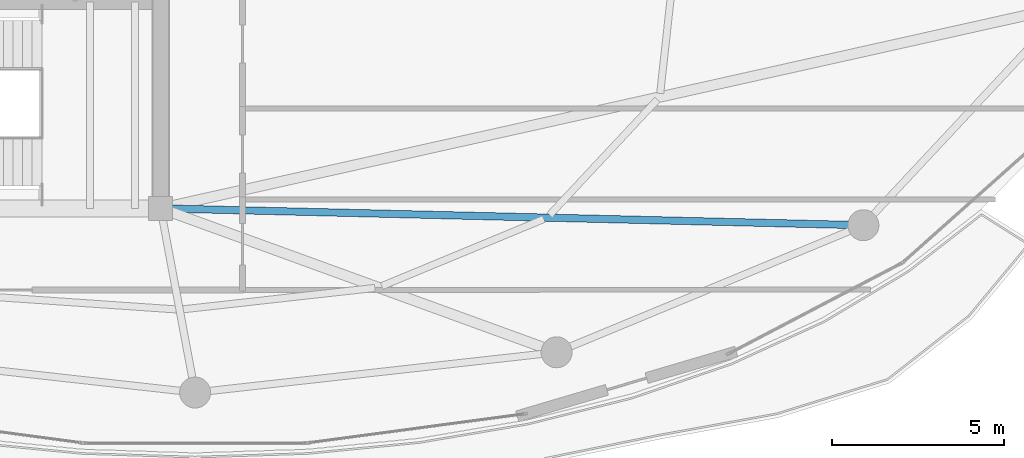
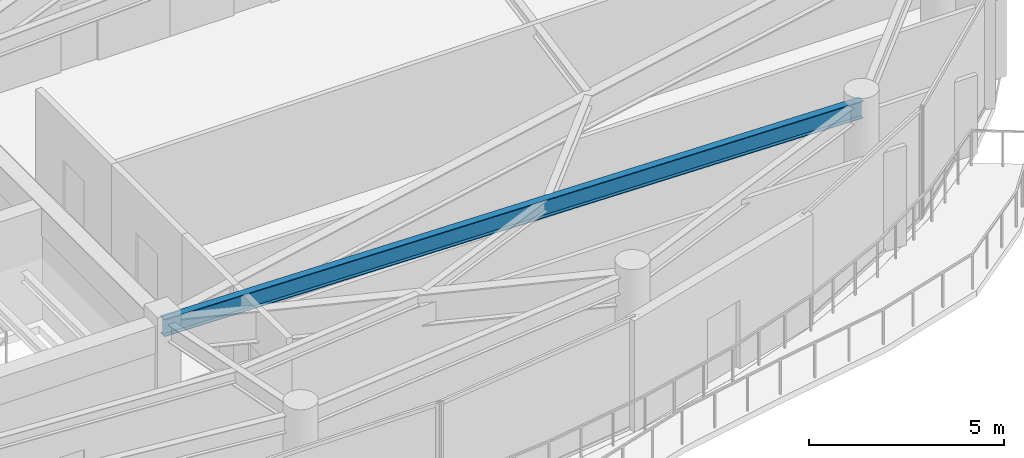
# One storey, part 12 of 29: 1 beam.
"""IFC4 building model written with IfcOpenShell, lengths in metres."""

from ifc_helpers import new_model, si_unit, direction, frame, origin, origin_2d, place, context, subcontext, project, spatial, i_section, extrude, material, material_profile, profile_set, type_object, element, save


model = new_model("IFC4")

# Units and contexts
model_context = context("Model", 3, precision=1e-05, world=origin(), true_north=direction((0.0, 1.0)))
body_context = subcontext(model_context, "Body", "Model", "MODEL_VIEW")
ifc_project = project(units=[si_unit("LENGTHUNIT", "METRE"), si_unit("AREAUNIT", "SQUARE_METRE"), si_unit("VOLUMEUNIT", "CUBIC_METRE"), si_unit("PLANEANGLEUNIT", "RADIAN"), si_unit("MASSUNIT", "GRAM", prefix="KILO")], contexts=[model_context])

# Site, building, storey
site_placement = place(None, origin())
site = spatial("IfcSite", under=ifc_project, at=site_placement, CompositionType="ELEMENT")
building_placement = place(site_placement, origin())
building = spatial("IfcBuilding", under=site, at=building_placement, Name="Kazevale Care Tower and Concert Hall", CompositionType="ELEMENT")
storey_placement = place(building_placement, frame((0.0, 0.0, 289.0)))
storey = spatial("IfcBuildingStorey", under=building, at=storey_placement, Name="L76", CompositionType="ELEMENT", Elevation=289.0)

# Beam
ifc_material = material(Name="Steel ASTM A572 Gr 50", Category="steel")
ifc_material_profile = material_profile(ifc_material, i_section(OverallWidth=0.2119140625, OverallDepth=0.5439453125, WebThickness=0.01318359375, FlangeThickness=0.021240234375, at=origin_2d()), Name="W530x123")
ifc_profile_set = profile_set([ifc_material_profile], Name="Steel ASTM A572 Gr 50")
beam_type = type_object("IfcBeamType", Name="Radial Floor Girder W530x123", PredefinedType="BEAM", material=ifc_profile_set)
beam_placement = place(storey_placement, frame((44.0, 23.60009765625, 3.2080078125), z_axis=(0.999711945342, -0.024000548742, 0.0), x_axis=(0.024000548742, 0.999711945342, 0.0)))
element("IfcBeam", 1, at=beam_placement, inside=storey, type_object=beam_type, Name="beam:L76:rad:15", PredefinedType="BEAM", context=body_context, shape_type="SweptSolid", body=[
    extrude(i_section(OverallWidth=0.2119140625, OverallDepth=0.5439453125, WebThickness=0.01318359375, FlangeThickness=0.021240234375, at=origin_2d()), origin(), (0.0, 0.0, 1.0), 20.415771484375),
])

save(model, "model.ifc")
